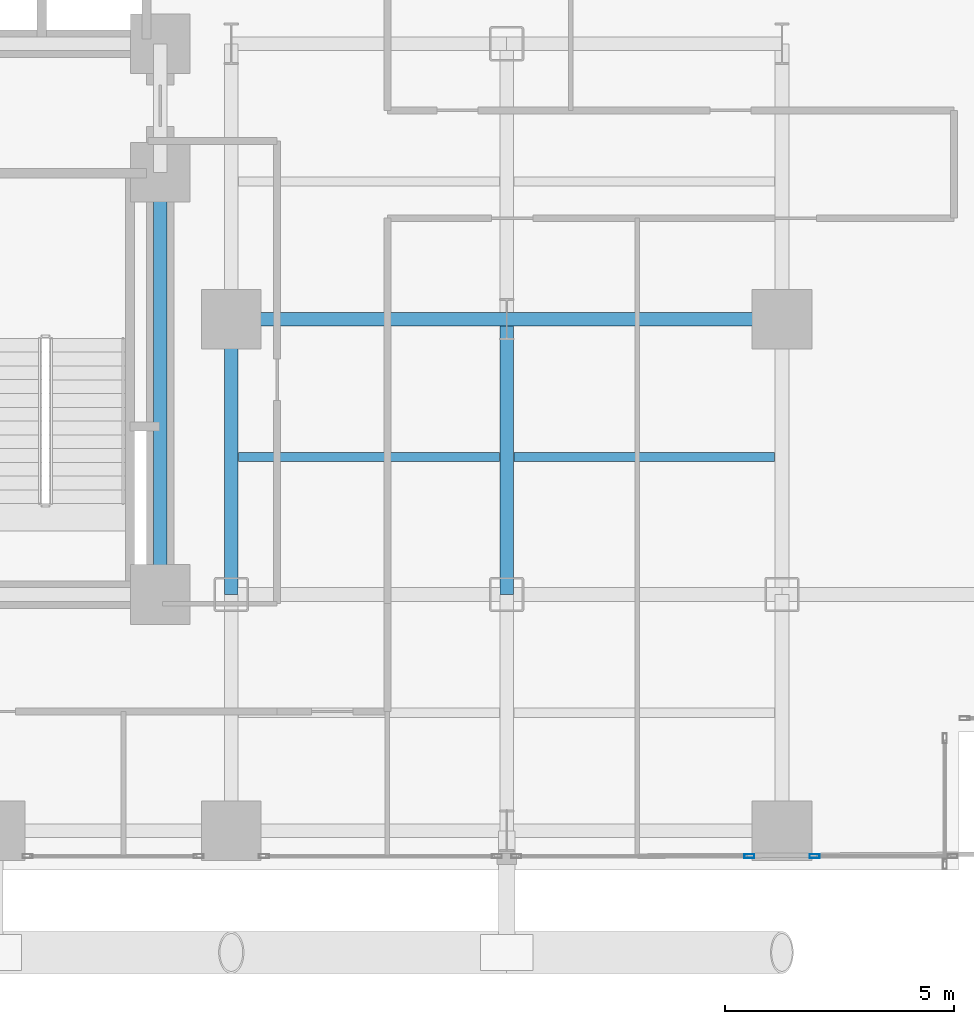
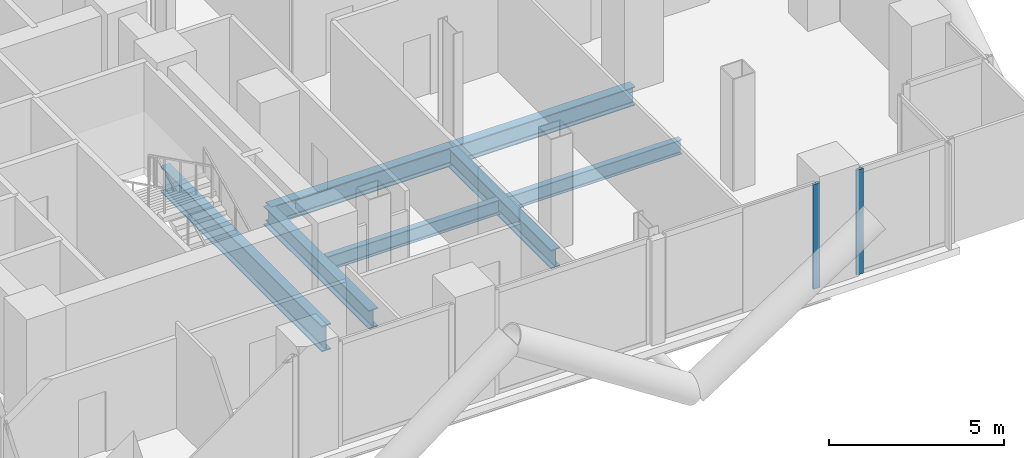
# One storey, part 9 of 25: 7 beams, 2 members, 2 elements without a shape of their own.
"""IFC4 building model written with IfcOpenShell, lengths in metres."""

from ifc_helpers import new_model, si_unit, direction, frame, origin, origin_2d, place, context, subcontext, project, spatial, hollow_rectangle, i_section, extrude, material, layer, layer_set, material_profile, profile_set, type_object, element, aggregate, save


model = new_model("IFC4")

# Units and contexts
model_context = context("Model", 3, precision=1e-05, world=origin(), true_north=direction((0.0, 1.0)))
body_context = subcontext(model_context, "Body", "Model", "MODEL_VIEW")
ifc_project = project(units=[si_unit("LENGTHUNIT", "METRE"), si_unit("AREAUNIT", "SQUARE_METRE"), si_unit("VOLUMEUNIT", "CUBIC_METRE"), si_unit("PLANEANGLEUNIT", "RADIAN"), si_unit("MASSUNIT", "GRAM", prefix="KILO"), si_unit("THERMODYNAMICTEMPERATUREUNIT", "KELVIN"), si_unit("POWERUNIT", "WATT")], contexts=[model_context])

# Site, building, storey
site_placement = place(None, origin())
site = spatial("IfcSite", under=ifc_project, at=site_placement, CompositionType="ELEMENT")
building_placement = place(site_placement, origin())
building = spatial("IfcBuilding", under=site, at=building_placement, Name="Svarakhadi Broadcast Tower", CompositionType="ELEMENT")
storey_placement = place(building_placement, frame((0.0, 0.0, 32.39990234375)))
storey = spatial("IfcBuildingStorey", under=building, at=storey_placement, Name="L06", CompositionType="ELEMENT", Elevation=32.39990234375)

# Beams
ifc_material_1 = material(Name="Steel S355J2 (IS 2062 E350C)", Category="steel")
ifc_material_profile_1 = material_profile(ifc_material_1, i_section(OverallWidth=0.199951171875, OverallDepth=0.5, WebThickness=0.01025390625, FlangeThickness=0.01611328125, FilletRadius=0.02099609375, at=origin_2d()), Name="NPB 500x200x91")
ifc_profile_set_1 = profile_set([ifc_material_profile_1], Name="Steel S355J2 (IS 2062 E350C)")
beam_type_1 = type_object("IfcBeamType", Name="Beam_NPB500", PredefinedType="BEAM", material=ifc_profile_set_1)
for number, where, z_axis, x_axis, name in (
    (1, (35.31005859375, 9.0, -0.5), (1.0, 0.0, 0.0), (0.0, 1.0, 0.0), "L06 Secondary Composite Beam SB023"),
    (2, (41.31005859375, 9.0, -0.5), (1.0, 0.0, 0.0), (0.0, 1.0, 0.0), "L06 Secondary Composite Beam SB026"),
):
    element("IfcBeam", number, at=place(storey_placement, frame(where, z_axis=z_axis, x_axis=x_axis)), inside=storey, type_object=beam_type_1, Name=name, PredefinedType="BEAM", context=body_context, shape_type="SweptSolid", body=[
        extrude(i_section(OverallWidth=0.199951171875, OverallDepth=0.5, WebThickness=0.01025390625, FlangeThickness=0.01611328125, FilletRadius=0.02099609375, at=origin_2d()), origin(), (0.0, 0.0, 1.0), 5.679931640625),
    ])

# Curtain wall, member
ifc_material_2 = material(Name="Anodised Bronze Aluminium AA 6063-T6", Category="aluminium")
ifc_layer = layer(ifc_material_2, 0.219970703125)
ifc_layer_set = layer_set([ifc_layer], Name="Anodised Bronze Aluminium AA 6063-T6")
curtain_wall_type = type_object("IfcCurtainWallType", Name="CW_Sys_02", PredefinedType="NOTDEFINED", material=ifc_layer_set)
curtain_wall_1_placement = place(storey_placement, origin())
curtain_wall_1 = element("IfcCurtainWall", 3, at=curtain_wall_1_placement, inside=storey, type_object=curtain_wall_type, Name="L06 South Curtain Wall 16 Bay 1", PredefinedType="NOTDEFINED")
ifc_material_profile_2 = material_profile(ifc_material_2, hollow_rectangle(XDim=0.0849609375, YDim=0.219970703125, WallThickness=0.006103515625, at=origin_2d()), Name="ALU MULLION 220x85x6")
ifc_profile_set_2 = profile_set([ifc_material_profile_2], Name="Anodised Bronze Aluminium AA 6063-T6")
member_type = type_object("IfcMemberType", Name="CW_Sys_02_Mul", PredefinedType="MULLION", material=ifc_profile_set_2)
member_1_placement = place(storey_placement, frame((47.862548828125, 0.300048828125, 0.0), z_axis=(0.0, 0.0, 1.0), x_axis=(0.0, -1.0, 0.0)))
member_1 = element("IfcMember", 4, at=member_1_placement, type_object=member_type, Name="CW-02 mullion 2", PredefinedType="MULLION", context=body_context, shape_type="SweptSolid", body=[
    extrude(hollow_rectangle(XDim=0.0849609375, YDim=0.219970703125, WallThickness=0.006103515625, at=origin_2d()), origin(), (0.0, 0.0, 1.0), 3.650146484375),
])
aggregate(curtain_wall_1, [member_1])

curtain_wall_2_placement = place(storey_placement, origin())
curtain_wall_2 = element("IfcCurtainWall", 5, at=curtain_wall_2_placement, inside=storey, type_object=curtain_wall_type, Name="L06 South Curtain Wall 16 Bay 2", PredefinedType="NOTDEFINED")
member_2_placement = place(storey_placement, frame((46.4375, 0.300048828125, 0.0), z_axis=(0.0, 0.0, 1.0), x_axis=(0.0, -1.0, 0.0)))
member_2 = element("IfcMember", 6, at=member_2_placement, type_object=member_type, Name="CW-02 mullion 1", PredefinedType="MULLION", context=body_context, shape_type="SweptSolid", body=[
    extrude(hollow_rectangle(XDim=0.0849609375, YDim=0.219970703125, WallThickness=0.006103515625, at=origin_2d()), origin(), (0.0, 0.0, 1.0), 3.650146484375),
])
aggregate(curtain_wall_2, [member_2])

# Beams
ifc_material_profile_3 = material_profile(ifc_material_1, i_section(OverallWidth=0.300048828125, OverallDepth=0.64990234375, WebThickness=0.01611328125, FlangeThickness=0.031005859375, FilletRadius=0.027099609375, at=origin_2d()), Name="WPB 650x300x225")
ifc_profile_set_3 = profile_set([ifc_material_profile_3], Name="Steel S355J2 (IS 2062 E350C)")
beam_type_2 = type_object("IfcBeamType", Name="Girder_WPB650", PredefinedType="USERDEFINED", material=ifc_profile_set_3)
for number, where, z_axis, x_axis, name in (
    (7, (35.14990234375, 12.0, -0.574951171875), (1.0, 0.0, 0.0), (0.0, 1.0, 0.0), "L06 Primary E-W Girder G023"),
    (8, (41.14990234375, 12.0, -0.574951171875), (1.0, 0.0, 0.0), (0.0, 1.0, 0.0), "L06 Primary E-W Girder G024"),
    (9, (35.14990234375, 6.0, -0.574951171875), (0.0, 1.0, 0.0), (-1.0, 0.0, 0.0), "L06 Primary N-S Girder G077"),
    (10, (41.14990234375, 6.0, -0.574951171875), (0.0, 1.0, 0.0), (-1.0, 0.0, 0.0), "L06 Primary N-S Girder G080"),
):
    element("IfcBeam", number, at=place(storey_placement, frame(where, z_axis=z_axis, x_axis=x_axis)), inside=storey, type_object=beam_type_2, Name=name, ObjectType="GIRDER", PredefinedType="USERDEFINED", context=body_context, shape_type="SweptSolid", body=[
        extrude(i_section(OverallWidth=0.300048828125, OverallDepth=0.64990234375, WebThickness=0.01611328125, FlangeThickness=0.031005859375, FilletRadius=0.027099609375, at=origin_2d()), origin(), (0.0, 0.0, 1.0), 6.0),
    ])
ifc_material_3 = material(Name="Steel S460ML (IS 2062 E450BR)", Category="steel")
ifc_material_profile_4 = material_profile(ifc_material_3, i_section(OverallWidth=0.300048828125, OverallDepth=0.89990234375, WebThickness=0.0185546875, FlangeThickness=0.034912109375, FilletRadius=0.030029296875, at=origin_2d()), Name="WPB 900x300x291")
ifc_profile_set_4 = profile_set([ifc_material_profile_4], Name="Steel S460ML (IS 2062 E450BR)")
beam_type_3 = type_object("IfcBeamType", Name="Girder_WPB900", PredefinedType="USERDEFINED", material=ifc_profile_set_4)
beam_placement = place(storey_placement, frame((33.60009765625, 6.0, -0.699951171875), z_axis=(0.0, 1.0, 0.0), x_axis=(-1.0, 0.0, 0.0)))
element("IfcBeam", 11, at=beam_placement, inside=storey, type_object=beam_type_3, Name="L06 Primary N-S Girder G074", ObjectType="GIRDER", PredefinedType="USERDEFINED", context=body_context, shape_type="SweptSolid", body=[
    extrude(i_section(OverallWidth=0.300048828125, OverallDepth=0.89990234375, WebThickness=0.0185546875, FlangeThickness=0.034912109375, FilletRadius=0.030029296875, at=origin_2d()), origin(), (0.0, 0.0, 1.0), 9.199951171875),
])

save(model, "model.ifc")
